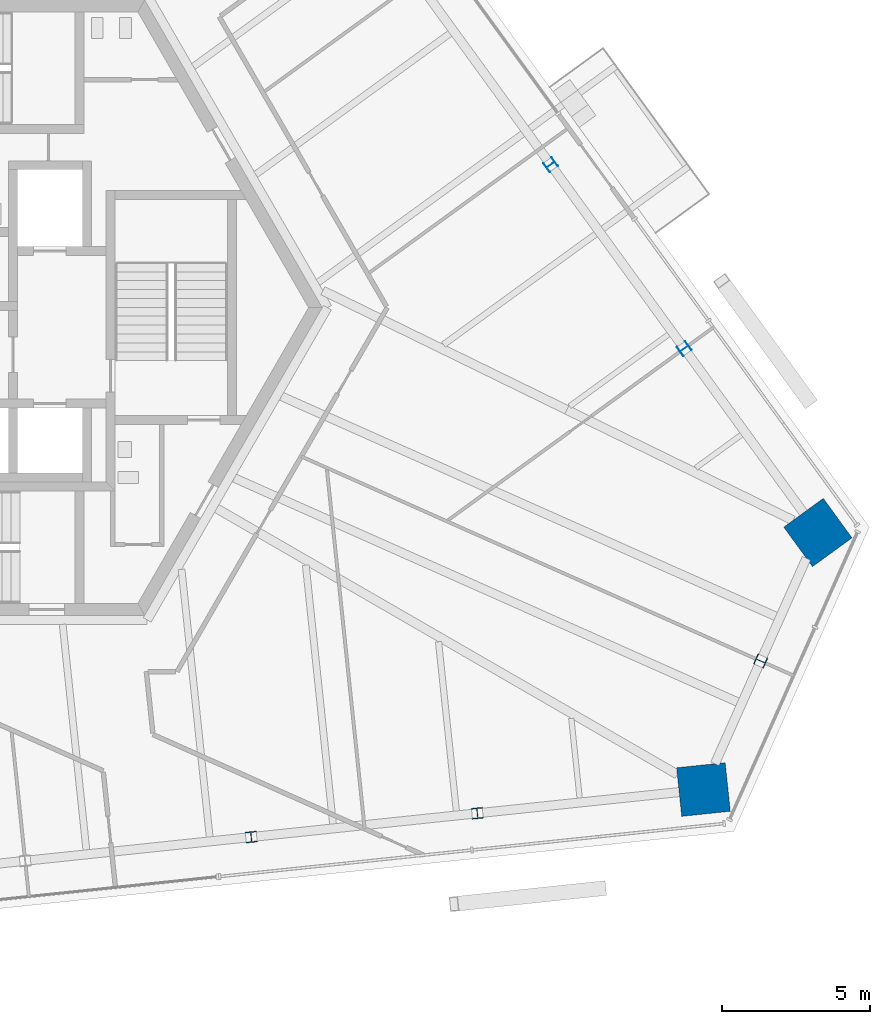
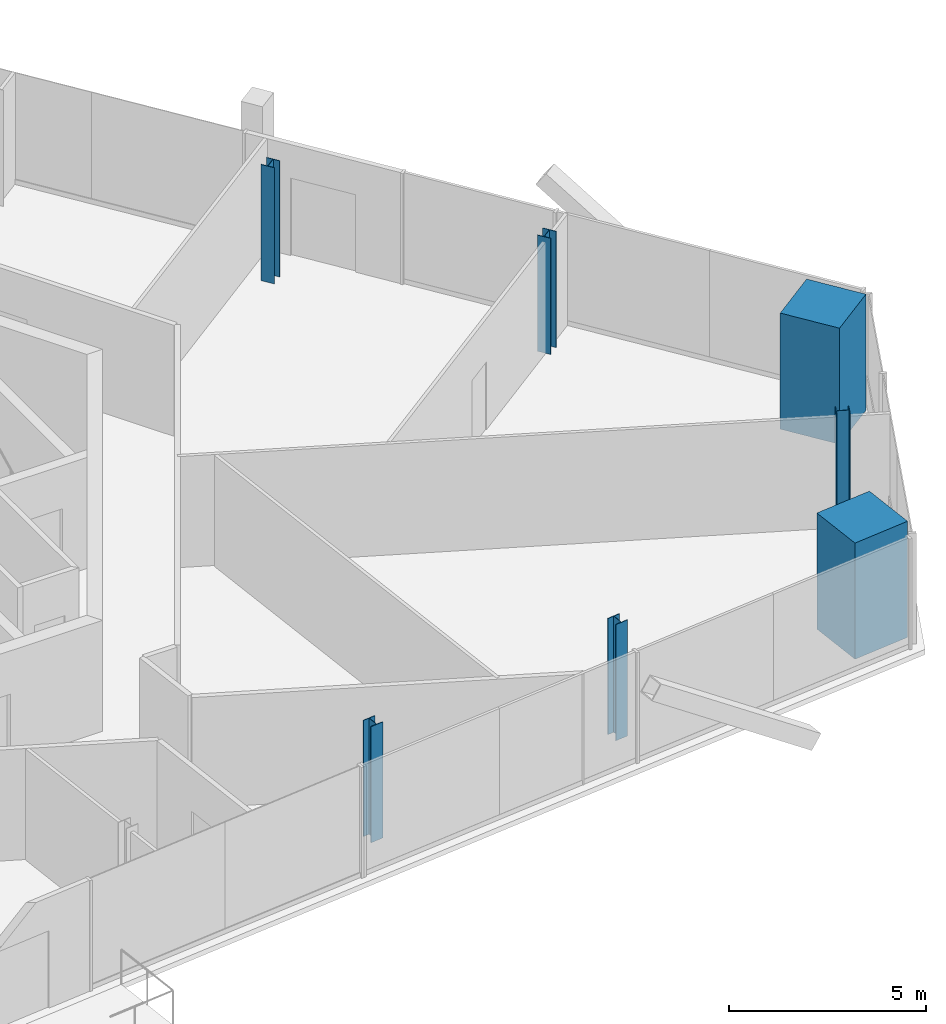
# One storey, part 2 of 19: 7 columns.
"""IFC4 building model written with IfcOpenShell, lengths in metres."""

from ifc_helpers import new_model, si_unit, direction, frame, origin, origin_2d, place, context, subcontext, project, spatial, rectangle, i_section, extrude, source, transform, mapped, material, material_profile, profile_set, type_object, element, save


model = new_model("IFC4")

# Units and contexts
model_context = context("Model", 3, precision=1e-05, world=origin(), true_north=direction((0.0, 1.0)))
body_context = subcontext(model_context, "Body", "Model", "MODEL_VIEW")
ifc_project = project(units=[si_unit("LENGTHUNIT", "METRE"), si_unit("AREAUNIT", "SQUARE_METRE"), si_unit("VOLUMEUNIT", "CUBIC_METRE"), si_unit("PLANEANGLEUNIT", "RADIAN"), si_unit("MASSUNIT", "GRAM", prefix="KILO")], contexts=[model_context])

# Site, building, storey
site_placement = place(None, origin())
site = spatial("IfcSite", under=ifc_project, at=site_placement, CompositionType="ELEMENT")
building_placement = place(site_placement, origin())
building = spatial("IfcBuilding", under=site, at=building_placement, Name="Triune Harvest Tower", CompositionType="ELEMENT")
storey_placement = place(building_placement, frame((0.0, 0.0, 223.300048828125)))
storey = spatial("IfcBuildingStorey", under=building, at=storey_placement, Name="L58", CompositionType="ELEMENT", Elevation=223.300048828125)

# Columns
ifc_material_1 = material(Name="Concrete 70 MPa", Category="concrete")
ifc_material_profile_1 = material_profile(ifc_material_1, rectangle(XDim=1.64990234375, YDim=1.64990234375, at=origin_2d()), Name="Composite 1650x1650")
ifc_profile_set_1 = profile_set([ifc_material_profile_1], Name="Concrete 70 MPa")
column_type_1 = type_object("IfcColumnType", Name="MC-6 Mega column Composite 1650x1650", PredefinedType="COLUMN", material=ifc_profile_set_1)
shared_shape_1 = source(origin(), body_context, "Body", "SweptSolid", [
    extrude(rectangle(XDim=1.64990234375, YDim=1.64990234375, at=origin_2d()), origin(), (0.0, 0.0, 1.0), 3.599853515625),
])
for number, where, z_axis, x_axis, name in (
    (1, (28.741455078125, -7.59521484375, 0.0), (0.0, 0.0, 1.0), (-0.587785252292, 0.809016994375, 0.0), "col/L58/M0"),
    (2, (24.8759765625, -16.27685546875, 0.0), (0.0, 0.0, 1.0), (0.99452171293, 0.104530199036, 0.0), "col/L58/M22"),
):
    element("IfcColumn", number, at=place(storey_placement, frame(where, z_axis=z_axis, x_axis=x_axis)), inside=storey, type_object=column_type_1, Name=name, PredefinedType="COLUMN", context=body_context, shape_type="MappedRepresentation", body=[
        mapped(shared_shape_1, transform((0.0, 0.0, 0.0), scale=1.0)),
    ])
ifc_material_2 = material(Name="Steel ASTM A992 Gr 50", Category="steel")
ifc_material_profile_2 = material_profile(ifc_material_2, i_section(OverallWidth=0.368408203125, OverallDepth=0.355712890625, WebThickness=0.01123046875, FlangeThickness=0.01806640625, at=origin_2d()), Name="W14x90")
ifc_profile_set_2 = profile_set([ifc_material_profile_2], Name="Steel ASTM A992 Gr 50")
column_type_2 = type_object("IfcColumnType", Name="PC-6 Perimeter column W14x90", PredefinedType="COLUMN", material=ifc_profile_set_2)
shared_shape_2 = source(origin(), body_context, "Body", "SweptSolid", [
    extrude(i_section(OverallWidth=0.368408203125, OverallDepth=0.355712890625, WebThickness=0.01123046875, FlangeThickness=0.01806640625, at=origin_2d()), origin(), (0.0, 0.0, 1.0), 3.599853515625),
])
for number, where, z_axis, x_axis, name in (
    (3, (24.2275390625, -1.38232421875, 0.0), (0.0, 0.0, 1.0), (-0.587785252292, 0.809016994375, 0.0), "col/L58/P1"),
    (4, (19.713623046875, 4.83056640625, 0.0), (0.0, 0.0, 1.0), (-0.587785252292, 0.809016994375, 0.0), "col/L58/P2"),
    (5, (9.601318359375, -17.88232421875, 0.0), (0.0, 0.0, 1.0), (0.99452171293, 0.104530199036, 0.0), "col/L58/P20"),
    (6, (17.238525390625, -17.07958984375, 0.0), (0.0, 0.0, 1.0), (0.99452171293, 0.104530199036, 0.0), "col/L58/P21"),
    (7, (26.80859375, -11.93603515625, 0.0), (0.0, 0.0, 1.0), (0.406741426383, 0.913543327962, 0.0), "col/L58/P23"),
):
    element("IfcColumn", number, at=place(storey_placement, frame(where, z_axis=z_axis, x_axis=x_axis)), inside=storey, type_object=column_type_2, Name=name, PredefinedType="COLUMN", context=body_context, shape_type="MappedRepresentation", body=[
        mapped(shared_shape_2, transform((0.0, 0.0, 0.0), scale=1.0)),
    ])

save(model, "model.ifc")
